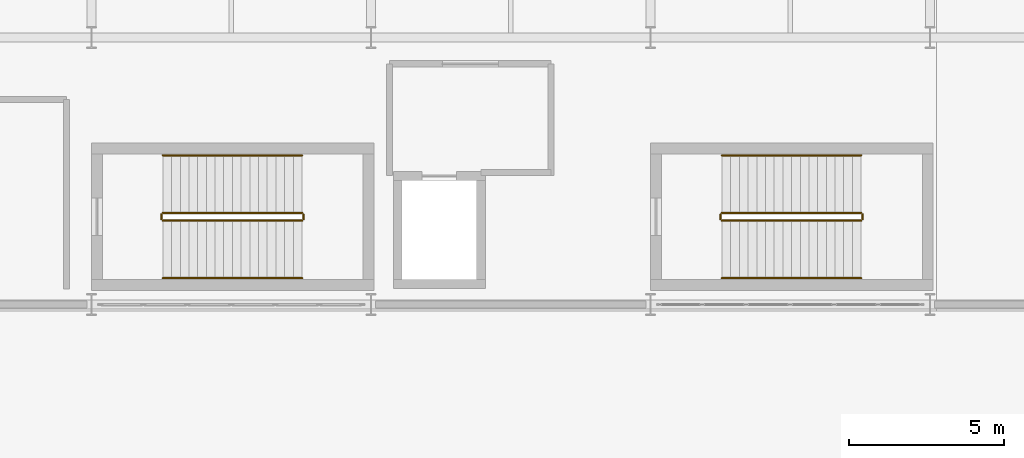
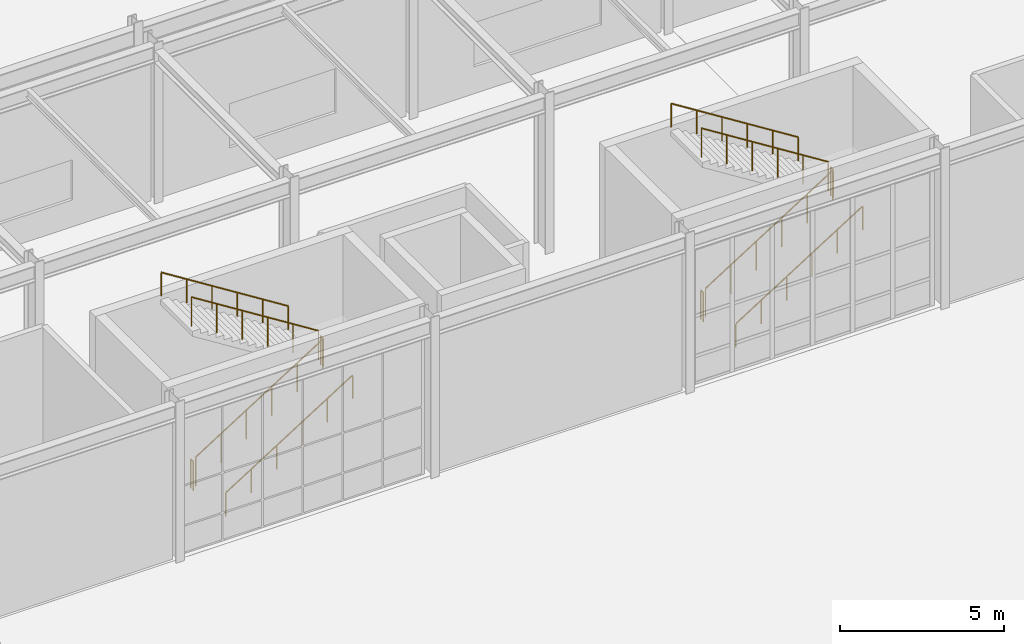
# One storey, part 135 of 146: 12 railings.
"""IFC4 building model written with IfcOpenShell, lengths in metres."""

from ifc_helpers import new_model, si_unit, direction, frame, origin, origin_2d, place, context, subcontext, project, spatial, circle, extrude, material, type_object, element, save


model = new_model("IFC4")

# Units and contexts
model_context = context("Model", 3, precision=1e-05, world=origin(), true_north=direction((0.0, 1.0)))
body_context = subcontext(model_context, "Body", "Model", "MODEL_VIEW")
ifc_project = project(units=[si_unit("LENGTHUNIT", "METRE"), si_unit("AREAUNIT", "SQUARE_METRE"), si_unit("VOLUMEUNIT", "CUBIC_METRE"), si_unit("PLANEANGLEUNIT", "RADIAN"), si_unit("MASSUNIT", "GRAM", prefix="KILO")], contexts=[model_context])

# Site, building, storey
site_placement = place(None, origin())
site = spatial("IfcSite", under=ifc_project, at=site_placement, CompositionType="ELEMENT")
building_placement = place(site_placement, origin())
building = spatial("IfcBuilding", under=site, at=building_placement, Name="Kaldris Quays Convention Centre", CompositionType="ELEMENT")
storey_placement = place(building_placement, origin())
storey = spatial("IfcBuildingStorey", under=building, at=storey_placement, Name="L00", CompositionType="ELEMENT", Elevation=0.0)

# Railings
ifc_material_1 = material(Name="Steel S355J2", Category="steel")
railing_type_1 = type_object("IfcRailingType", Name="INTERIOR GUARDRAIL GR01", PredefinedType="GUARDRAIL", material=ifc_material_1)
railing_1_placement = place(storey_placement, frame((94.300048828125, 40.699951171875, 0.176513671875)))
element("IfcRailing", 1, at=railing_1_placement, inside=storey, type_object=railing_type_1, Name="L00 ST11 Stair Guardrail 1", PredefinedType="GUARDRAIL", context=body_context, shape_type="SweptSolid", body=[
    extrude(circle(Radius=0.02392578125, at=origin_2d()), frame((0.0, 0.0, 1.076171875), z_axis=(0.845997938375, 0.0, 0.533186166611), x_axis=(0.0, 1.0, 0.0)), (0.0, 0.0, 1.0), 5.29541015625),
    extrude(circle(Radius=0.02099609375, at=origin_2d()), origin(), (0.0, 0.0, 1.0), 1.052001953125),
    extrude(circle(Radius=0.02099609375, at=origin_2d()), frame((0.89599609375, 0.0, 0.564697265625)), (0.0, 0.0, 1.0), 1.052001953125),
    extrude(circle(Radius=0.02099609375, at=origin_2d()), frame((1.7919921875, 0.0, 1.12939453125)), (0.0, 0.0, 1.0), 1.052001953125),
    extrude(circle(Radius=0.02099609375, at=origin_2d()), frame((2.68798828125, 0.0, 1.694091796875)), (0.0, 0.0, 1.0), 1.052001953125),
    extrude(circle(Radius=0.02099609375, at=origin_2d()), frame((3.583984375, 0.0, 2.2587890625)), (0.0, 0.0, 1.0), 1.052001953125),
    extrude(circle(Radius=0.02099609375, at=origin_2d()), frame((4.47998046875, 0.0, 2.823486328125)), (0.0, 0.0, 1.0), 1.052001953125),
])
railing_2_placement = place(storey_placement, frame((98.830078125, 40.75, 3.0)))
element("IfcRailing", 2, at=railing_2_placement, inside=storey, type_object=railing_type_1, Name="L00 ST11 Stair Guardrail 2", PredefinedType="GUARDRAIL", context=body_context, shape_type="SweptSolid", body=[
    extrude(circle(Radius=0.02392578125, at=origin_2d()), frame((0.0, 0.0, 1.076171875), z_axis=(0.0, 1.0, 0.0), x_axis=(-1.0, 0.0, 0.0)), (0.0, 0.0, 1.0), 0.14990234375),
    extrude(circle(Radius=0.02099609375, at=origin_2d()), origin(), (0.0, 0.0, 1.0), 1.052001953125),
    extrude(circle(Radius=0.02099609375, at=origin_2d()), frame((0.0, 0.14990234375, 0.0)), (0.0, 0.0, 1.0), 1.052001953125),
])
railing_3_placement = place(storey_placement, frame((98.780029296875, 40.949951171875, 3.176513671875)))
element("IfcRailing", 3, at=railing_3_placement, inside=storey, type_object=railing_type_1, Name="L00 ST11 Stair Guardrail 3", PredefinedType="GUARDRAIL", context=body_context, shape_type="SweptSolid", body=[
    extrude(circle(Radius=0.02392578125, at=origin_2d()), frame((0.0, 0.0, 1.076171875), z_axis=(-0.845997938375, 0.0, 0.533186166611), x_axis=(0.0, -1.0, 0.0)), (0.0, 0.0, 1.0), 5.29541015625),
    extrude(circle(Radius=0.02099609375, at=origin_2d()), origin(), (0.0, 0.0, 1.0), 1.052001953125),
    extrude(circle(Radius=0.02099609375, at=origin_2d()), frame((-0.89599609375, 0.0, 0.564697265625)), (0.0, 0.0, 1.0), 1.052001953125),
    extrude(circle(Radius=0.02099609375, at=origin_2d()), frame((-1.7919921875, 0.0, 1.12939453125)), (0.0, 0.0, 1.0), 1.052001953125),
    extrude(circle(Radius=0.02099609375, at=origin_2d()), frame((-2.68798828125, 0.0, 1.694091796875)), (0.0, 0.0, 1.0), 1.052001953125),
    extrude(circle(Radius=0.02099609375, at=origin_2d()), frame((-3.583984375, 0.0, 2.2587890625)), (0.0, 0.0, 1.0), 1.052001953125),
    extrude(circle(Radius=0.02099609375, at=origin_2d()), frame((-4.47998046875, 0.0, 2.823486328125)), (0.0, 0.0, 1.0), 1.052001953125),
])
railing_4_placement = place(storey_placement, frame((94.25, 40.75, 0.0)))
element("IfcRailing", 4, at=railing_4_placement, inside=storey, type_object=railing_type_1, Name="L00 ST11 Stair Guardrail 4", PredefinedType="GUARDRAIL", context=body_context, shape_type="SweptSolid", body=[
    extrude(circle(Radius=0.02392578125, at=origin_2d()), frame((0.0, 0.0, 1.076171875), z_axis=(0.0, 1.0, 0.0), x_axis=(-1.0, 0.0, 0.0)), (0.0, 0.0, 1.0), 0.14990234375),
    extrude(circle(Radius=0.02099609375, at=origin_2d()), origin(), (0.0, 0.0, 1.0), 1.052001953125),
    extrude(circle(Radius=0.02099609375, at=origin_2d()), frame((0.0, 0.14990234375, 0.0)), (0.0, 0.0, 1.0), 1.052001953125),
])
railing_5_placement = place(storey_placement, frame((112.300048828125, 40.699951171875, 0.176513671875)))
element("IfcRailing", 5, at=railing_5_placement, inside=storey, type_object=railing_type_1, Name="L00 ST13 Stair Guardrail 1", PredefinedType="GUARDRAIL", context=body_context, shape_type="SweptSolid", body=[
    extrude(circle(Radius=0.02392578125, at=origin_2d()), frame((0.0, 0.0, 1.076171875), z_axis=(0.845997938375, 0.0, 0.533186166611), x_axis=(0.0, 1.0, 0.0)), (0.0, 0.0, 1.0), 5.29541015625),
    extrude(circle(Radius=0.02099609375, at=origin_2d()), origin(), (0.0, 0.0, 1.0), 1.052001953125),
    extrude(circle(Radius=0.02099609375, at=origin_2d()), frame((0.89599609375, 0.0, 0.564697265625)), (0.0, 0.0, 1.0), 1.052001953125),
    extrude(circle(Radius=0.02099609375, at=origin_2d()), frame((1.7919921875, 0.0, 1.12939453125)), (0.0, 0.0, 1.0), 1.052001953125),
    extrude(circle(Radius=0.02099609375, at=origin_2d()), frame((2.68798828125, 0.0, 1.694091796875)), (0.0, 0.0, 1.0), 1.052001953125),
    extrude(circle(Radius=0.02099609375, at=origin_2d()), frame((3.583984375, 0.0, 2.2587890625)), (0.0, 0.0, 1.0), 1.052001953125),
    extrude(circle(Radius=0.02099609375, at=origin_2d()), frame((4.47998046875, 0.0, 2.823486328125)), (0.0, 0.0, 1.0), 1.052001953125),
])
railing_6_placement = place(storey_placement, frame((116.830078125, 40.75, 3.0)))
element("IfcRailing", 6, at=railing_6_placement, inside=storey, type_object=railing_type_1, Name="L00 ST13 Stair Guardrail 2", PredefinedType="GUARDRAIL", context=body_context, shape_type="SweptSolid", body=[
    extrude(circle(Radius=0.02392578125, at=origin_2d()), frame((0.0, 0.0, 1.076171875), z_axis=(0.0, 1.0, 0.0), x_axis=(-1.0, 0.0, 0.0)), (0.0, 0.0, 1.0), 0.14990234375),
    extrude(circle(Radius=0.02099609375, at=origin_2d()), origin(), (0.0, 0.0, 1.0), 1.052001953125),
    extrude(circle(Radius=0.02099609375, at=origin_2d()), frame((0.0, 0.14990234375, 0.0)), (0.0, 0.0, 1.0), 1.052001953125),
])
railing_7_placement = place(storey_placement, frame((116.780029296875, 40.949951171875, 3.176513671875)))
element("IfcRailing", 7, at=railing_7_placement, inside=storey, type_object=railing_type_1, Name="L00 ST13 Stair Guardrail 3", PredefinedType="GUARDRAIL", context=body_context, shape_type="SweptSolid", body=[
    extrude(circle(Radius=0.02392578125, at=origin_2d()), frame((0.0, 0.0, 1.076171875), z_axis=(-0.845997938375, 0.0, 0.533186166611), x_axis=(0.0, -1.0, 0.0)), (0.0, 0.0, 1.0), 5.29541015625),
    extrude(circle(Radius=0.02099609375, at=origin_2d()), origin(), (0.0, 0.0, 1.0), 1.052001953125),
    extrude(circle(Radius=0.02099609375, at=origin_2d()), frame((-0.89599609375, 0.0, 0.564697265625)), (0.0, 0.0, 1.0), 1.052001953125),
    extrude(circle(Radius=0.02099609375, at=origin_2d()), frame((-1.7919921875, 0.0, 1.12939453125)), (0.0, 0.0, 1.0), 1.052001953125),
    extrude(circle(Radius=0.02099609375, at=origin_2d()), frame((-2.68798828125, 0.0, 1.694091796875)), (0.0, 0.0, 1.0), 1.052001953125),
    extrude(circle(Radius=0.02099609375, at=origin_2d()), frame((-3.583984375, 0.0, 2.2587890625)), (0.0, 0.0, 1.0), 1.052001953125),
    extrude(circle(Radius=0.02099609375, at=origin_2d()), frame((-4.47998046875, 0.0, 2.823486328125)), (0.0, 0.0, 1.0), 1.052001953125),
])
railing_8_placement = place(storey_placement, frame((112.25, 40.75, 0.0)))
element("IfcRailing", 8, at=railing_8_placement, inside=storey, type_object=railing_type_1, Name="L00 ST13 Stair Guardrail 4", PredefinedType="GUARDRAIL", context=body_context, shape_type="SweptSolid", body=[
    extrude(circle(Radius=0.02392578125, at=origin_2d()), frame((0.0, 0.0, 1.076171875), z_axis=(0.0, 1.0, 0.0), x_axis=(-1.0, 0.0, 0.0)), (0.0, 0.0, 1.0), 0.14990234375),
    extrude(circle(Radius=0.02099609375, at=origin_2d()), origin(), (0.0, 0.0, 1.0), 1.052001953125),
    extrude(circle(Radius=0.02099609375, at=origin_2d()), frame((0.0, 0.14990234375, 0.0)), (0.0, 0.0, 1.0), 1.052001953125),
])
ifc_material_2 = material(Name="Stainless steel 1.4301", Category="steel")
railing_type_2 = type_object("IfcRailingType", Name="STAIR HANDRAIL HR01", PredefinedType="HANDRAIL", material=ifc_material_2)
railing_9_placement = place(storey_placement, frame((94.300048828125, 38.85009765625, 0.176513671875)))
element("IfcRailing", 9, at=railing_9_placement, inside=storey, type_object=railing_type_2, Name="L00 ST11 Flight Handrail 1", PredefinedType="HANDRAIL", context=body_context, shape_type="SweptSolid", body=[
    extrude(circle(Radius=0.02392578125, at=origin_2d()), frame((0.0, 0.0, 0.8759765625), z_axis=(0.845997938375, 0.0, 0.533186166611), x_axis=(0.0, 1.0, 0.0)), (0.0, 0.0, 1.0), 5.29541015625),
    extrude(circle(Radius=0.02099609375, at=origin_2d()), origin(), (0.0, 0.0, 1.0), 0.851806640625),
    extrude(circle(Radius=0.02099609375, at=origin_2d()), frame((0.89599609375, 0.0, 0.564697265625)), (0.0, 0.0, 1.0), 0.851806640625),
    extrude(circle(Radius=0.02099609375, at=origin_2d()), frame((1.7919921875, 0.0, 1.12939453125)), (0.0, 0.0, 1.0), 0.851806640625),
    extrude(circle(Radius=0.02099609375, at=origin_2d()), frame((2.68798828125, 0.0, 1.694091796875)), (0.0, 0.0, 1.0), 0.851806640625),
    extrude(circle(Radius=0.02099609375, at=origin_2d()), frame((3.583984375, 0.0, 2.2587890625)), (0.0, 0.0, 1.0), 0.851806640625),
    extrude(circle(Radius=0.02099609375, at=origin_2d()), frame((4.47998046875, 0.0, 2.823486328125)), (0.0, 0.0, 1.0), 0.851806640625),
])
railing_10_placement = place(storey_placement, frame((98.780029296875, 42.800048828125, 3.176513671875)))
element("IfcRailing", 10, at=railing_10_placement, inside=storey, type_object=railing_type_2, Name="L00 ST11 Flight Handrail 2", PredefinedType="HANDRAIL", context=body_context, shape_type="SweptSolid", body=[
    extrude(circle(Radius=0.02392578125, at=origin_2d()), frame((0.0, 0.0, 0.8759765625), z_axis=(-0.845997938375, 0.0, 0.533186166611), x_axis=(0.0, -1.0, 0.0)), (0.0, 0.0, 1.0), 5.29541015625),
    extrude(circle(Radius=0.02099609375, at=origin_2d()), origin(), (0.0, 0.0, 1.0), 0.851806640625),
    extrude(circle(Radius=0.02099609375, at=origin_2d()), frame((-0.89599609375, 0.0, 0.564697265625)), (0.0, 0.0, 1.0), 0.851806640625),
    extrude(circle(Radius=0.02099609375, at=origin_2d()), frame((-1.7919921875, 0.0, 1.12939453125)), (0.0, 0.0, 1.0), 0.851806640625),
    extrude(circle(Radius=0.02099609375, at=origin_2d()), frame((-2.68798828125, 0.0, 1.694091796875)), (0.0, 0.0, 1.0), 0.851806640625),
    extrude(circle(Radius=0.02099609375, at=origin_2d()), frame((-3.583984375, 0.0, 2.2587890625)), (0.0, 0.0, 1.0), 0.851806640625),
    extrude(circle(Radius=0.02099609375, at=origin_2d()), frame((-4.47998046875, 0.0, 2.823486328125)), (0.0, 0.0, 1.0), 0.851806640625),
])
railing_11_placement = place(storey_placement, frame((112.300048828125, 38.85009765625, 0.176513671875)))
element("IfcRailing", 11, at=railing_11_placement, inside=storey, type_object=railing_type_2, Name="L00 ST13 Flight Handrail 1", PredefinedType="HANDRAIL", context=body_context, shape_type="SweptSolid", body=[
    extrude(circle(Radius=0.02392578125, at=origin_2d()), frame((0.0, 0.0, 0.8759765625), z_axis=(0.845997938375, 0.0, 0.533186166611), x_axis=(0.0, 1.0, 0.0)), (0.0, 0.0, 1.0), 5.29541015625),
    extrude(circle(Radius=0.02099609375, at=origin_2d()), origin(), (0.0, 0.0, 1.0), 0.851806640625),
    extrude(circle(Radius=0.02099609375, at=origin_2d()), frame((0.89599609375, 0.0, 0.564697265625)), (0.0, 0.0, 1.0), 0.851806640625),
    extrude(circle(Radius=0.02099609375, at=origin_2d()), frame((1.7919921875, 0.0, 1.12939453125)), (0.0, 0.0, 1.0), 0.851806640625),
    extrude(circle(Radius=0.02099609375, at=origin_2d()), frame((2.68798828125, 0.0, 1.694091796875)), (0.0, 0.0, 1.0), 0.851806640625),
    extrude(circle(Radius=0.02099609375, at=origin_2d()), frame((3.583984375, 0.0, 2.2587890625)), (0.0, 0.0, 1.0), 0.851806640625),
    extrude(circle(Radius=0.02099609375, at=origin_2d()), frame((4.47998046875, 0.0, 2.823486328125)), (0.0, 0.0, 1.0), 0.851806640625),
])
railing_12_placement = place(storey_placement, frame((116.780029296875, 42.800048828125, 3.176513671875)))
element("IfcRailing", 12, at=railing_12_placement, inside=storey, type_object=railing_type_2, Name="L00 ST13 Flight Handrail 2", PredefinedType="HANDRAIL", context=body_context, shape_type="SweptSolid", body=[
    extrude(circle(Radius=0.02392578125, at=origin_2d()), frame((0.0, 0.0, 0.8759765625), z_axis=(-0.845997938375, 0.0, 0.533186166611), x_axis=(0.0, -1.0, 0.0)), (0.0, 0.0, 1.0), 5.29541015625),
    extrude(circle(Radius=0.02099609375, at=origin_2d()), origin(), (0.0, 0.0, 1.0), 0.851806640625),
    extrude(circle(Radius=0.02099609375, at=origin_2d()), frame((-0.89599609375, 0.0, 0.564697265625)), (0.0, 0.0, 1.0), 0.851806640625),
    extrude(circle(Radius=0.02099609375, at=origin_2d()), frame((-1.7919921875, 0.0, 1.12939453125)), (0.0, 0.0, 1.0), 0.851806640625),
    extrude(circle(Radius=0.02099609375, at=origin_2d()), frame((-2.68798828125, 0.0, 1.694091796875)), (0.0, 0.0, 1.0), 0.851806640625),
    extrude(circle(Radius=0.02099609375, at=origin_2d()), frame((-3.583984375, 0.0, 2.2587890625)), (0.0, 0.0, 1.0), 0.851806640625),
    extrude(circle(Radius=0.02099609375, at=origin_2d()), frame((-4.47998046875, 0.0, 2.823486328125)), (0.0, 0.0, 1.0), 0.851806640625),
])

save(model, "model.ifc")
